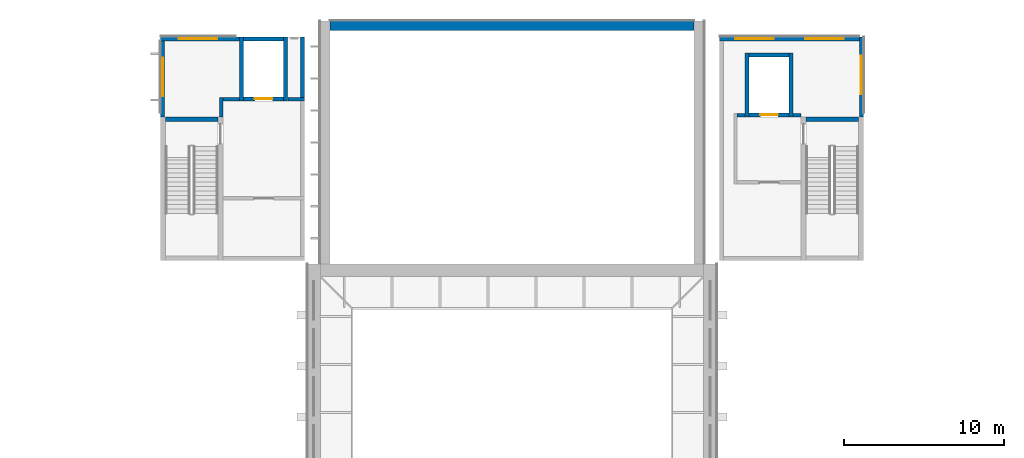
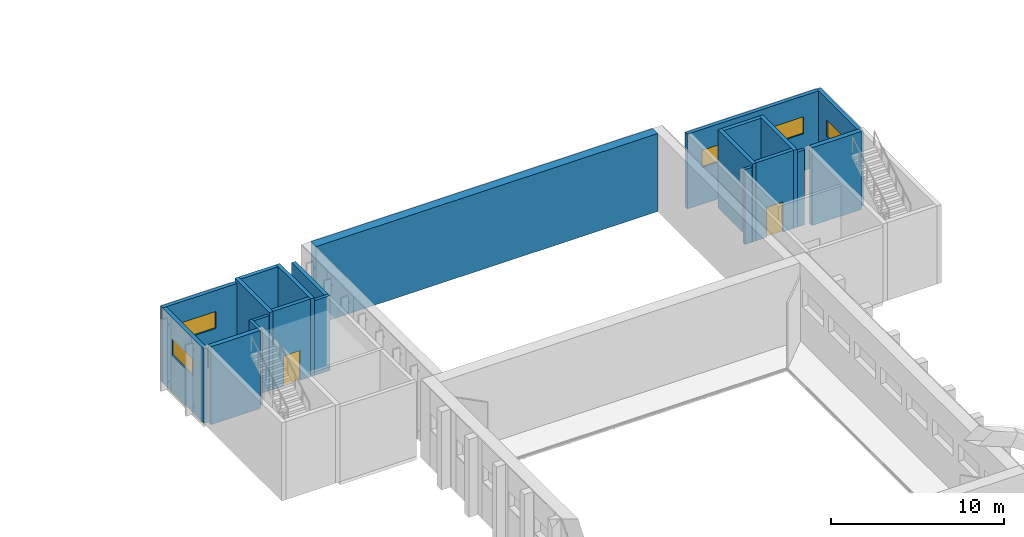
# One storey, part 68 of 94: 21 walls, 5 windows, 2 doors, 7 openings.
"""IFC4 building model written with IfcOpenShell, lengths in metres."""

import ifcopenshell
import ifcopenshell.guid

model = None  # the IFC model being written
_history = None  # IfcOwnerHistory: only IFC2X3 demands one
_inside = {}  # id of a spatial element -> (the spatial element, [elements in it])
_under = {}  # id of a project, library or spatial element -> (it, [spatial elements below it])
_declared = {}  # id of a project -> (the project, [libraries it declares])
_typed = {}  # id of a type object -> (the type object, [elements of that type])
_made_of = {}  # id of a material, layer set ... -> (it, [elements and type objects made of it])


def new_model(schema):
    """Start an empty IFC model of exactly this schema.

    Asked for "IFC4X3", IfcOpenShell would pick the latest addendum, in which some entities
    have other attributes; the version numbers below select the first issue.
    IFC2X3 requires an IfcOwnerHistory on every rooted entity: one is made here for all.
    """
    global model, _history
    if schema == "IFC4X3":
        model = ifcopenshell.file(schema_version=(4, 3, 0, 0))
    else:
        model = ifcopenshell.file(schema=schema)
    _inside.clear()
    _under.clear()
    _declared.clear()
    _typed.clear()
    _made_of.clear()
    _history = None
    if model.schema == "IFC2X3":
        org = make("IfcOrganization", Name="unknown")
        user = make(
            "IfcPersonAndOrganization",
            ThePerson=make("IfcPerson", FamilyName="unknown"),
            TheOrganization=org,
        )
        app = make(
            "IfcApplication",
            ApplicationDeveloper=org,
            Version="unknown",
            ApplicationFullName="unknown",
            ApplicationIdentifier="unknown",
        )
        _history = make(
            "IfcOwnerHistory",
            OwningUser=user,
            OwningApplication=app,
            ChangeAction="ADDED",
            CreationDate=0,
        )
    return model


def make(cls, **values):
    """One entity of the class cls with the attributes given. An attribute that is None is left unset."""
    return model.create_entity(
        cls, **{name: value for name, value in values.items() if value is not None}
    )


def rooted(cls, **values):
    """An entity with a GlobalId (a new one), such as an element, a storey or a relation."""
    return make(cls, GlobalId=ifcopenshell.guid.new(), OwnerHistory=_history, **values)


def si_unit(unit_type, name, prefix=None):
    """IfcSIUnit, for example si_unit("LENGTHUNIT", "METRE", prefix="MILLI")."""
    return make("IfcSIUnit", UnitType=unit_type, Prefix=prefix, Name=name)


def assignment(units):
    """IfcUnitAssignment: the units of a project."""
    return None if units is None else make("IfcUnitAssignment", Units=units)


def point(xyz):
    """IfcCartesianPoint."""
    return None if xyz is None else make("IfcCartesianPoint", Coordinates=xyz)


def direction(xyz):
    """IfcDirection."""
    return None if xyz is None else make("IfcDirection", DirectionRatios=xyz)


def frame(location, z_axis=None, x_axis=None):
    """IfcAxis2Placement3D, a coordinate frame: its origin and axes. An axis left out is left unset."""
    return make(
        "IfcAxis2Placement3D",
        Location=point(location),
        Axis=direction(z_axis),
        RefDirection=direction(x_axis),
    )


def frame_2d(location, x_axis=None):
    """IfcAxis2Placement2D, a coordinate frame in the plane: its origin and x axis."""
    return make(
        "IfcAxis2Placement2D", Location=point(location), RefDirection=direction(x_axis)
    )


def origin():
    """The frame at (0, 0, 0) with its axes left unset."""
    return frame((0.0, 0.0, 0.0))


def place(relative_to, where):
    """IfcLocalPlacement: puts the frame where relative to a parent placement (None: the world)."""
    return make(
        "IfcLocalPlacement", PlacementRelTo=relative_to, RelativePlacement=where
    )


def context(
    kind, dimensions, precision=None, world=None, true_north=None, identifier=None
):
    """IfcGeometricRepresentationContext, for example the 3D "Model" context."""
    return make(
        "IfcGeometricRepresentationContext",
        ContextIdentifier=identifier,
        ContextType=kind,
        CoordinateSpaceDimension=dimensions,
        Precision=precision,
        WorldCoordinateSystem=world,
        TrueNorth=true_north,
    )


def subcontext(parent, identifier, kind, view, scale=None):
    """IfcGeometricRepresentationSubContext, for example "Body" below "Model"."""
    return make(
        "IfcGeometricRepresentationSubContext",
        ContextIdentifier=identifier,
        ContextType=kind,
        ParentContext=parent,
        TargetScale=scale,
        TargetView=view,
    )


def project(units=None, contexts=None):
    """IfcProject with its units and contexts."""
    return rooted(
        "IfcProject",
        Name="project",
        RepresentationContexts=contexts,
        UnitsInContext=assignment(units),
    )


def spatial(cls, under=None, at=None, **own):
    """A site, building, storey or space (cls), placed at a placement, below another one or the project."""
    s = rooted(cls, ObjectPlacement=at, **own)
    if under is not None:
        _under.setdefault(under.id(), (under, []))[1].append(s)
    return s


def profile(cls, at=None, kind="AREA", **sizes):
    """A parametric profile (cls). Its sizes go by their IFC names, for example OverallWidth=200.0."""
    return make(cls, ProfileType=kind, Position=at, **sizes)


def rectangle(**sizes):
    """IfcRectangleProfileDef."""
    return profile("IfcRectangleProfileDef", **sizes)


def extrude(swept, where, along, depth):
    """IfcExtrudedAreaSolid: the profile swept, set in the frame where, extruded along a direction by depth."""
    return make(
        "IfcExtrudedAreaSolid",
        SweptArea=swept,
        Position=where,
        ExtrudedDirection=direction(along),
        Depth=depth,
    )


def shape(context_of_items, identifier, shape_type, items):
    """IfcShapeRepresentation: the items that make up one representation, for example the "Body"."""
    return make(
        "IfcShapeRepresentation",
        ContextOfItems=context_of_items,
        RepresentationIdentifier=identifier,
        RepresentationType=shape_type,
        Items=items,
    )


def material(Name=None, Category=None):
    """IfcMaterial."""
    return make("IfcMaterial", Name=Name, Category=Category)


def layer(
    of_material, thickness, ventilated=None, Name=None, Category=None, Priority=None
):
    """IfcMaterialLayer: one layer of a wall or slab, of a material (None: an air gap)."""
    return make(
        "IfcMaterialLayer",
        Material=of_material,
        LayerThickness=thickness,
        IsVentilated=ventilated,
        Name=Name,
        Category=Category,
        Priority=Priority,
    )


def layer_set(layers, Name=None):
    """IfcMaterialLayerSet."""
    return make("IfcMaterialLayerSet", MaterialLayers=layers, LayerSetName=Name)


def made_of(thing, what):
    """Note that an element or type object is made of a material, layer set ...; save() writes the relation."""
    if what is not None:
        _made_of.setdefault(what.id(), (what, []))[1].append(thing)
    return thing


def type_object(cls, material=None, **own):
    """A type object (cls), such as IfcWallType, which elements share."""
    return made_of(rooted(cls, **own), material)


def element(
    cls,
    number,
    at=None,
    inside=None,
    cuts=None,
    type_object=None,
    material=None,
    context=None,
    identifier="Body",
    shape_type=None,
    held_by="IfcProductDefinitionShape",
    body=None,
    shapes=None,
    **own,
):
    """One element of the class cls, such as IfcWall. Its Tag is "e" and its number.

    at: its placement. inside: the storey or other place that contains it. cuts: it is an
    opening in that element (IfcRelVoidsElement). A single representation is given by context,
    identifier, shape_type and body (its items); several are given by shapes. held_by: the class
    of the entity that holds the representations. save() writes the other relations.
    """
    e = rooted(cls, Tag="e%d" % number, ObjectPlacement=at, **own)
    if body is not None:
        shapes = [shape(context, identifier, shape_type, body)]
    if shapes is not None:
        e.Representation = make(held_by, Representations=shapes)
    if inside is not None:
        _inside.setdefault(inside.id(), (inside, []))[1].append(e)
    if cuts is not None:
        rooted(
            "IfcRelVoidsElement", RelatingBuildingElement=cuts, RelatedOpeningElement=e
        )
    if type_object is not None:
        _typed.setdefault(type_object.id(), (type_object, []))[1].append(e)
    return made_of(e, material)


def fill(opening, filler):
    """IfcRelFillsElement: the door or window that sits in an opening."""
    return rooted(
        "IfcRelFillsElement",
        RelatingOpeningElement=opening,
        RelatedBuildingElement=filler,
    )


def aggregate(whole, parts):
    """IfcRelAggregates: a whole, such as a stair, and the parts it consists of."""
    return rooted("IfcRelAggregates", RelatingObject=whole, RelatedObjects=parts)


def save(model, path):
    """Write the relations noted so far, then the file.

    IfcRelAggregates (storeys below a building ...), IfcRelContainedInSpatialStructure (elements
    in a storey), IfcRelDefinesByType, IfcRelAssociatesMaterial and IfcRelDeclares: one each for
    every whole, place, type object, material and project.
    """
    for whole, parts in _under.values():
        aggregate(whole, parts)
    for where, things in _inside.values():
        rooted(
            "IfcRelContainedInSpatialStructure",
            RelatedElements=things,
            RelatingStructure=where,
        )
    for kind, things in _typed.values():
        rooted("IfcRelDefinesByType", RelatedObjects=things, RelatingType=kind)
    for what, things in _made_of.values():
        rooted("IfcRelAssociatesMaterial", RelatedObjects=things, RelatingMaterial=what)
    for by, libraries in _declared.values():
        rooted("IfcRelDeclares", RelatingContext=by, RelatedDefinitions=libraries)
    model.write(path)


model = new_model("IFC4")

# Units and contexts
model_context = context("Model", 3, precision=1e-05, world=origin(), true_north=direction((0.0, 1.0)))
body_context = subcontext(model_context, "Body", "Model", "MODEL_VIEW")
ifc_project = project(units=[si_unit("LENGTHUNIT", "METRE"), si_unit("AREAUNIT", "SQUARE_METRE"), si_unit("VOLUMEUNIT", "CUBIC_METRE"), si_unit("PLANEANGLEUNIT", "RADIAN"), si_unit("MASSUNIT", "GRAM", prefix="KILO")], contexts=[model_context])

# Site, building, storey
site_placement = place(None, origin())
site = spatial("IfcSite", under=ifc_project, at=site_placement, CompositionType="ELEMENT")
building_placement = place(site_placement, origin())
building = spatial("IfcBuilding", under=site, at=building_placement, Name="Lunette Opera House", CompositionType="ELEMENT")
storey_placement = place(building_placement, frame((0.0, 0.0, 22.5)))
storey = spatial("IfcBuildingStorey", under=building, at=storey_placement, Name="L04", CompositionType="ELEMENT", Elevation=22.5)

# Walls
ifc_material_1 = material(Name="Concrete C35/45", Category="concrete")
ifc_layer_1 = layer(ifc_material_1, 0.199951171875)
ifc_layer_set_1 = layer_set([ifc_layer_1], Name="Concrete C35/45")
wall_type_1 = type_object("IfcWallType", Name="LOBBY WALL 200", PredefinedType="PARTITIONING", material=ifc_layer_set_1)
wall_1_placement = place(storey_placement, frame((114.080078125, 130.10009765625, 0.0), z_axis=(0.0, 0.0, 1.0), x_axis=(-1.0, 0.0, 0.0)))
element("IfcWall", 1, at=wall_1_placement, inside=storey, type_object=wall_type_1, Name="FL3 lobby wall 2a", PredefinedType="PARTITIONING", context=body_context, shape_type="SweptSolid", body=[
    extrude(rectangle(XDim=0.489990234375, YDim=0.199951171875, at=frame_2d((0.2451171875, 0.0))), origin(), (0.0, 0.0, 1.0), 5.280029296875),
])
wall_2_placement = place(storey_placement, frame((110.580078125, 130.10009765625, 0.0), z_axis=(0.0, 0.0, 1.0), x_axis=(-1.0, 0.0, 0.0)))
element("IfcWall", 2, at=wall_2_placement, inside=storey, type_object=wall_type_1, Name="FL3 lobby wall 2b", PredefinedType="PARTITIONING", context=body_context, shape_type="SweptSolid", body=[
    extrude(rectangle(XDim=0.47998046875, YDim=0.199951171875, at=frame_2d((0.239990234375, 0.0))), origin(), (0.0, 0.0, 1.0), 5.280029296875),
])
for number, where, z_axis, x_axis, name in (
    (3, (83.0, 131.10009765625, 0.0), (0.0, 0.0, 1.0), (-1.0, 0.0, 0.0), "LL-SW lobby wall 2a"),
    (4, (78.929931640625, 131.10009765625, 0.0), (0.0, 0.0, 1.0), (-1.0, 0.0, 0.0), "LL-SW lobby wall 2b"),
):
    element("IfcWall", number, at=place(storey_placement, frame(where, z_axis=z_axis, x_axis=x_axis)), inside=storey, type_object=wall_type_1, Name=name, PredefinedType="PARTITIONING", context=body_context, shape_type="SweptSolid", body=[
        extrude(rectangle(XDim=1.030029296875, YDim=0.199951171875, at=frame_2d((0.51513671875, 0.0))), origin(), (0.0, 0.0, 1.0), 5.280029296875),
    ])
wall_3_placement = place(storey_placement, frame((77.800048828125, 131.199951171875, 0.0), z_axis=(0.0, 0.0, 1.0), x_axis=(0.0, -1.0, 0.0)))
element("IfcWall", 5, at=wall_3_placement, inside=storey, type_object=wall_type_1, Name="LL-SW lobby wall 3a", PredefinedType="PARTITIONING", context=body_context, shape_type="SweptSolid", body=[
    extrude(rectangle(XDim=1.2099609375, YDim=0.199951171875, at=frame_2d((0.60498046875, 0.0))), origin(), (0.0, 0.0, 1.0), 5.280029296875),
])
ifc_material_2 = material(Name="Concrete C35/45", Category="concrete")
ifc_layer_2 = layer(ifc_material_2, 0.25)
ifc_layer_set_2 = layer_set([ifc_layer_2], Name="Concrete C35/45")
wall_type_2 = type_object("IfcWallType", Name="RC LIFT SHAFT WALL 250", PredefinedType="SOLIDWALL", material=ifc_layer_set_2)
wall_4_placement = place(storey_placement, frame((113.47509765625, 130.0, 0.0), z_axis=(0.0, 0.0, 1.0), x_axis=(0.0, 1.0, 0.0)))
element("IfcWall", 6, at=wall_4_placement, inside=storey, type_object=wall_type_2, Name="FL3 shaft wall 1", PredefinedType="SOLIDWALL", context=body_context, shape_type="SweptSolid", body=[
    extrude(rectangle(XDim=4.0, YDim=0.25, at=frame_2d((2.0, 0.0))), origin(), (0.0, 0.0, 1.0), 5.5),
])
wall_5_placement = place(storey_placement, frame((113.35009765625, 133.875, 0.0), z_axis=(0.0, 0.0, 1.0), x_axis=(-1.0, 0.0, 0.0)))
element("IfcWall", 7, at=wall_5_placement, inside=storey, type_object=wall_type_2, Name="FL3 shaft wall 2", PredefinedType="SOLIDWALL", context=body_context, shape_type="SweptSolid", body=[
    extrude(rectangle(XDim=2.5, YDim=0.25, at=frame_2d((1.25, 0.0))), origin(), (0.0, 0.0, 1.0), 5.5),
])
wall_6_placement = place(storey_placement, frame((110.72509765625, 134.0, 0.0), z_axis=(0.0, 0.0, 1.0), x_axis=(0.0, -1.0, 0.0)))
element("IfcWall", 8, at=wall_6_placement, inside=storey, type_object=wall_type_2, Name="FL3 shaft wall 3", PredefinedType="SOLIDWALL", context=body_context, shape_type="SweptSolid", body=[
    extrude(rectangle(XDim=4.0, YDim=0.25, at=frame_2d((2.0, 0.0))), origin(), (0.0, 0.0, 1.0), 5.5),
])

# Wall, opening, door
wall_7_placement = place(storey_placement, frame((110.85009765625, 130.125, 0.0), z_axis=(0.0, 0.0, 1.0), x_axis=(1.0, 0.0, 0.0)))
wall_7 = element("IfcWall", 9, at=wall_7_placement, inside=storey, type_object=wall_type_2, Name="FL3 shaft wall 4", PredefinedType="SOLIDWALL", context=body_context, shape_type="SweptSolid", body=[
    extrude(rectangle(XDim=2.5, YDim=0.25, at=frame_2d((1.25, 0.0))), origin(), (0.0, 0.0, 1.0), 5.5),
])
opening_1_placement = place(wall_7_placement, frame((0.699951171875, 0.0, 0.0)))
opening_1 = element("IfcOpeningElement", 10, at=opening_1_placement, cuts=wall_7, Name="Opening ST-LD007", PredefinedType="OPENING", context=body_context, shape_type="SweptSolid", body=[
    extrude(rectangle(XDim=1.10009765625, YDim=2.10009765625, at=frame_2d((0.550048828125, 1.050048828125))), frame((0.0, 0.136962890625, 0.0), z_axis=(0.0, -1.0, 0.0), x_axis=(1.0, 0.0, 0.0)), (0.0, 0.0, 1.0), 0.27392578125),
])
ifc_material_3 = material(Name="Stainless steel", Category="steel")
door_type = type_object("IfcDoorType", Name="LIFT LANDING DOOR 1100 X 2100", OperationType="DOUBLE_DOOR_SLIDING", PredefinedType="DOOR", material=ifc_material_3)
door_1_placement = place(opening_1_placement, origin())
door_1 = element("IfcDoor", 11, at=door_1_placement, inside=storey, type_object=door_type, Name="FL3 lift landing door", OperationType="DOUBLE_DOOR_SLIDING", OverallHeight=2.10009765625, OverallWidth=1.10009765625, PredefinedType="DOOR", context=body_context, shape_type="SweptSolid", body=[
    extrude(rectangle(XDim=1.10009765625, YDim=2.10009765625, at=frame_2d((0.550048828125, 1.050048828125))), frame((0.0, 0.02490234375, 0.0), z_axis=(0.0, -1.0, 0.0), x_axis=(1.0, 0.0, 0.0)), (0.0, 0.0, 1.0), 0.050048828125),
])
fill(opening_1, door_1)

# Walls
wall_8_placement = place(storey_placement, frame((81.824951171875, 131.0, 0.0), z_axis=(0.0, 0.0, 1.0), x_axis=(0.0, 1.0, 0.0)))
element("IfcWall", 12, at=wall_8_placement, inside=storey, type_object=wall_type_2, Name="LF7 shaft wall 1", PredefinedType="SOLIDWALL", context=body_context, shape_type="SweptSolid", body=[
    extrude(rectangle(XDim=4.0, YDim=0.25, at=frame_2d((2.0, 0.0))), origin(), (0.0, 0.0, 1.0), 5.5),
])
wall_9_placement = place(storey_placement, frame((81.699951171875, 134.875, 0.0), z_axis=(0.0, 0.0, 1.0), x_axis=(-1.0, 0.0, 0.0)))
element("IfcWall", 13, at=wall_9_placement, inside=storey, type_object=wall_type_2, Name="LF7 shaft wall 2", PredefinedType="SOLIDWALL", context=body_context, shape_type="SweptSolid", body=[
    extrude(rectangle(XDim=2.5, YDim=0.25, at=frame_2d((1.25, 0.0))), origin(), (0.0, 0.0, 1.0), 5.5),
])
wall_10_placement = place(storey_placement, frame((79.074951171875, 135.0, 0.0), z_axis=(0.0, 0.0, 1.0), x_axis=(0.0, -1.0, 0.0)))
element("IfcWall", 14, at=wall_10_placement, inside=storey, type_object=wall_type_2, Name="LF7 shaft wall 3", PredefinedType="SOLIDWALL", context=body_context, shape_type="SweptSolid", body=[
    extrude(rectangle(XDim=4.0, YDim=0.25, at=frame_2d((2.0, 0.0))), origin(), (0.0, 0.0, 1.0), 5.5),
])

# Wall, opening, door
wall_11_placement = place(storey_placement, frame((79.199951171875, 131.125, 0.0), z_axis=(0.0, 0.0, 1.0), x_axis=(1.0, 0.0, 0.0)))
wall_11 = element("IfcWall", 15, at=wall_11_placement, inside=storey, type_object=wall_type_2, Name="LF7 shaft wall 4", PredefinedType="SOLIDWALL", context=body_context, shape_type="SweptSolid", body=[
    extrude(rectangle(XDim=2.5, YDim=0.25, at=frame_2d((1.25, 0.0))), origin(), (0.0, 0.0, 1.0), 5.5),
])
opening_2_placement = place(wall_11_placement, frame((0.699951171875, 0.0, 0.0)))
opening_2 = element("IfcOpeningElement", 16, at=opening_2_placement, cuts=wall_11, Name="Opening ST-LD016", PredefinedType="OPENING", context=body_context, shape_type="SweptSolid", body=[
    extrude(rectangle(XDim=1.10009765625, YDim=2.10009765625, at=frame_2d((0.550048828125, 1.050048828125))), frame((0.0, 0.136962890625, 0.0), z_axis=(0.0, -1.0, 0.0), x_axis=(1.0, 0.0, 0.0)), (0.0, 0.0, 1.0), 0.27392578125),
])
door_2_placement = place(opening_2_placement, origin())
door_2 = element("IfcDoor", 17, at=door_2_placement, inside=storey, type_object=door_type, Name="LF7 lift landing door", OperationType="DOUBLE_DOOR_SLIDING", OverallHeight=2.10009765625, OverallWidth=1.10009765625, PredefinedType="DOOR", context=body_context, shape_type="SweptSolid", body=[
    extrude(rectangle(XDim=1.10009765625, YDim=2.10009765625, at=frame_2d((0.550048828125, 1.050048828125))), frame((0.0, 0.02490234375, 0.0), z_axis=(0.0, -1.0, 0.0), x_axis=(1.0, 0.0, 0.0)), (0.0, 0.0, 1.0), 0.050048828125),
])
fill(opening_2, door_2)

# Walls
ifc_material_4 = material(Name="Concrete C35/45", Category="concrete")
ifc_layer_3 = layer(ifc_material_4, 0.300048828125)
ifc_layer_set_3 = layer_set([ifc_layer_3], Name="Concrete C35/45")
wall_type_3 = type_object("IfcWallType", Name="RC STAIR ENCLOSURE WALL 300", PredefinedType="SOLIDWALL", material=ifc_layer_set_3)
for number, where, z_axis, x_axis, name in (
    (18, (77.60009765625, 129.85009765625, 0.0), (0.0, 0.0, 1.0), (-1.0, 0.0, 0.0), "ST11 enclosure wall 2"),
    (19, (117.699951171875, 129.85009765625, 0.0), (0.0, 0.0, 1.0), (-1.0, 0.0, 0.0), "ST12 enclosure wall 2"),
):
    element("IfcWall", number, at=place(storey_placement, frame(where, z_axis=z_axis, x_axis=x_axis)), inside=storey, type_object=wall_type_3, Name=name, PredefinedType="SOLIDWALL", context=body_context, shape_type="SweptSolid", body=[
        extrude(rectangle(XDim=3.300048828125, YDim=0.300048828125, at=frame_2d((1.64990234375, 0.0))), origin(), (0.0, 0.0, 1.0), 5.5),
    ])
ifc_material_5 = material(Name="Concrete C35/45", Category="concrete")
ifc_layer_4 = layer(ifc_material_5, 0.60009765625)
ifc_layer_set_4 = layer_set([ifc_layer_4], Name="Concrete C35/45")
wall_type_4 = type_object("IfcWallType", Name="RC WALL 600", PredefinedType="SHEAR", material=ifc_layer_set_4)
wall_12_placement = place(storey_placement, frame((84.60009765625, 135.699951171875, 0.0), z_axis=(0.0, 0.0, 1.0), x_axis=(1.0, 0.0, 0.0)))
element("IfcWall", 20, at=wall_12_placement, inside=storey, type_object=wall_type_4, Name="wall-ST-L04-SR-N-1", PredefinedType="SHEAR", context=body_context, shape_type="SweptSolid", body=[
    extrude(rectangle(XDim=22.7998046875, YDim=0.60009765625, at=frame_2d((11.39990234375, 0.0))), origin(), (0.0, 0.0, 1.0), 5.5),
])

# Wall, opening, window
ifc_material_6 = material(Name="Insulated aluminium sandwich panel", Category="aluminium")
ifc_layer_5 = layer(ifc_material_6, 0.25)
ifc_layer_set_5 = layer_set([ifc_layer_5], Name="Insulated aluminium sandwich panel")
wall_type_5 = type_object("IfcWallType", Name="STAGE TOWER WALL 250", PredefinedType="SOLIDWALL", material=ifc_layer_set_5)
wall_13_placement = place(storey_placement, frame((78.947998046875, 134.875, 0.0), z_axis=(0.0, 0.0, 1.0), x_axis=(-1.0, 0.0, 0.0)))
wall_13 = element("IfcWall", 21, at=wall_13_placement, inside=storey, type_object=wall_type_5, Name="Stage Tower Wall 250 TW-031 L04", PredefinedType="SOLIDWALL", context=body_context, shape_type="SweptSolid", body=[
    extrude(rectangle(XDim=4.947998046875, YDim=0.25, at=frame_2d((2.47412109375, 0.0))), origin(), (0.0, 0.0, 1.0), 5.280029296875),
])
opening_3_placement = place(wall_13_placement, frame((1.39599609375, 0.0, 2.60009765625)))
opening_3 = element("IfcOpeningElement", 22, at=opening_3_placement, cuts=wall_13, Name="Opening ST-N2142", PredefinedType="OPENING", context=body_context, shape_type="SweptSolid", body=[
    extrude(rectangle(XDim=2.39990234375, YDim=1.199951171875, at=frame_2d((1.199951171875, 0.60009765625))), frame((0.0, 0.136962890625, 0.0), z_axis=(0.0, -1.0, 0.0), x_axis=(1.0, 0.0, 0.0)), (0.0, 0.0, 1.0), 0.27392578125),
])
ifc_material_7 = material(Name="Aluminium", Category="aluminium")
window_type = type_object("IfcWindowType", Name="TOWER RIBBON WINDOW 2400 X 1200", PartitioningType="SINGLE_PANEL", PredefinedType="WINDOW", material=ifc_material_7)
window_1_placement = place(opening_3_placement, origin())
window_1 = element("IfcWindow", 23, at=window_1_placement, inside=storey, type_object=window_type, Name="Tower Ribbon Window 2400 X 1200 TTW31-1 L04", OverallHeight=1.199951171875, OverallWidth=2.39990234375, PartitioningType="SINGLE_PANEL", PredefinedType="WINDOW", context=body_context, shape_type="SweptSolid", body=[
    extrude(rectangle(XDim=2.39990234375, YDim=1.199951171875, at=frame_2d((1.199951171875, 0.60009765625))), frame((0.0, 0.030029296875, 0.0), z_axis=(0.0, -1.0, 0.0), x_axis=(1.0, 0.0, 0.0)), (0.0, 0.0, 1.0), 0.06005859375),
])
fill(opening_3, window_1)

wall_14_placement = place(storey_placement, frame((74.125, 134.75, 0.0), z_axis=(0.0, 0.0, 1.0), x_axis=(0.0, -1.0, 0.0)))
wall_14 = element("IfcWall", 24, at=wall_14_placement, inside=storey, type_object=wall_type_5, Name="Stage Tower Wall 250 TW-032 L04", PredefinedType="SOLIDWALL", context=body_context, shape_type="SweptSolid", body=[
    extrude(rectangle(XDim=4.7548828125, YDim=0.25, at=frame_2d((2.37744140625, 0.0))), origin(), (0.0, 0.0, 1.0), 5.280029296875),
])
opening_4_placement = place(wall_14_placement, frame((1.050048828125, 0.0, 2.60009765625)))
opening_4 = element("IfcOpeningElement", 25, at=opening_4_placement, cuts=wall_14, Name="Opening ST-N2143", PredefinedType="OPENING", context=body_context, shape_type="SweptSolid", body=[
    extrude(rectangle(XDim=2.39990234375, YDim=1.199951171875, at=frame_2d((1.199951171875, 0.60009765625))), frame((0.0, 0.136962890625, 0.0), z_axis=(0.0, -1.0, 0.0), x_axis=(1.0, 0.0, 0.0)), (0.0, 0.0, 1.0), 0.27392578125),
])
window_2_placement = place(opening_4_placement, origin())
window_2 = element("IfcWindow", 26, at=window_2_placement, inside=storey, type_object=window_type, Name="Tower Ribbon Window 2400 X 1200 TTW32-1 L04", OverallHeight=1.199951171875, OverallWidth=2.39990234375, PartitioningType="SINGLE_PANEL", PredefinedType="WINDOW", context=body_context, shape_type="SweptSolid", body=[
    extrude(rectangle(XDim=2.39990234375, YDim=1.199951171875, at=frame_2d((1.199951171875, 0.60009765625))), frame((0.0, 0.030029296875, 0.0), z_axis=(0.0, -1.0, 0.0), x_axis=(1.0, 0.0, 0.0)), (0.0, 0.0, 1.0), 0.06005859375),
])
fill(opening_4, window_2)

# Wall
wall_15_placement = place(storey_placement, frame((82.875, 131.195068359375, 0.0), z_axis=(0.0, 0.0, 1.0), x_axis=(0.0, 1.0, 0.0)))
element("IfcWall", 27, at=wall_15_placement, inside=storey, type_object=wall_type_5, Name="Stage Tower Wall 250 TW-036 L04", PredefinedType="SOLIDWALL", context=body_context, shape_type="SweptSolid", body=[
    extrude(rectangle(XDim=3.804931640625, YDim=0.25, at=frame_2d((1.90234375, 0.0))), origin(), (0.0, 0.0, 1.0), 5.280029296875),
])

# Wall, opening, window
wall_16_placement = place(storey_placement, frame((117.875, 129.9951171875, 0.0), z_axis=(0.0, 0.0, 1.0), x_axis=(0.0, 1.0, 0.0)))
wall_16 = element("IfcWall", 28, at=wall_16_placement, inside=storey, type_object=wall_type_5, Name="Stage Tower Wall 250 TE-037 L04", PredefinedType="SOLIDWALL", context=body_context, shape_type="SweptSolid", body=[
    extrude(rectangle(XDim=5.0048828125, YDim=0.25, at=frame_2d((2.50244140625, 0.0))), origin(), (0.0, 0.0, 1.0), 5.280029296875),
])
opening_5_placement = place(wall_16_placement, frame((1.429931640625, 0.0, 2.60009765625)))
opening_5 = element("IfcOpeningElement", 29, at=opening_5_placement, cuts=wall_16, Name="Opening ST-N2144", PredefinedType="OPENING", context=body_context, shape_type="SweptSolid", body=[
    extrude(rectangle(XDim=2.39990234375, YDim=1.199951171875, at=frame_2d((1.199951171875, 0.60009765625))), frame((0.0, 0.136962890625, 0.0), z_axis=(0.0, -1.0, 0.0), x_axis=(1.0, 0.0, 0.0)), (0.0, 0.0, 1.0), 0.27392578125),
])
window_3_placement = place(opening_5_placement, origin())
window_3 = element("IfcWindow", 30, at=window_3_placement, inside=storey, type_object=window_type, Name="Tower Ribbon Window 2400 X 1200 TTW37-1 L04", OverallHeight=1.199951171875, OverallWidth=2.39990234375, PartitioningType="SINGLE_PANEL", PredefinedType="WINDOW", context=body_context, shape_type="SweptSolid", body=[
    extrude(rectangle(XDim=2.39990234375, YDim=1.199951171875, at=frame_2d((1.199951171875, 0.60009765625))), frame((0.0, 0.030029296875, 0.0), z_axis=(0.0, -1.0, 0.0), x_axis=(1.0, 0.0, 0.0)), (0.0, 0.0, 1.0), 0.06005859375),
])
fill(opening_5, window_3)

# Wall, openings, windows
wall_17_placement = place(storey_placement, frame((117.75, 134.875, 0.0), z_axis=(0.0, 0.0, 1.0), x_axis=(-1.0, 0.0, 0.0)))
wall_17 = element("IfcWall", 31, at=wall_17_placement, inside=storey, type_object=wall_type_5, Name="Stage Tower Wall 250 TE-038 L04", PredefinedType="SOLIDWALL", context=body_context, shape_type="SweptSolid", body=[
    extrude(rectangle(XDim=8.75, YDim=0.25, at=frame_2d((4.375, 0.0))), origin(), (0.0, 0.0, 1.0), 5.280029296875),
])
opening_6_placement = place(wall_17_placement, frame((0.988037109375, 0.0, 2.60009765625)))
opening_6 = element("IfcOpeningElement", 32, at=opening_6_placement, cuts=wall_17, Name="Opening ST-N2145", PredefinedType="OPENING", context=body_context, shape_type="SweptSolid", body=[
    extrude(rectangle(XDim=2.39990234375, YDim=1.199951171875, at=frame_2d((1.199951171875, 0.60009765625))), frame((0.0, 0.136962890625, 0.0), z_axis=(0.0, -1.0, 0.0), x_axis=(1.0, 0.0, 0.0)), (0.0, 0.0, 1.0), 0.27392578125),
])
opening_7_placement = place(wall_17_placement, frame((5.362060546875, 0.0, 2.60009765625)))
opening_7 = element("IfcOpeningElement", 33, at=opening_7_placement, cuts=wall_17, Name="Opening ST-N2146", PredefinedType="OPENING", context=body_context, shape_type="SweptSolid", body=[
    extrude(rectangle(XDim=2.39990234375, YDim=1.199951171875, at=frame_2d((1.199951171875, 0.60009765625))), frame((0.0, 0.136962890625, 0.0), z_axis=(0.0, -1.0, 0.0), x_axis=(1.0, 0.0, 0.0)), (0.0, 0.0, 1.0), 0.27392578125),
])
window_4_placement = place(opening_6_placement, origin())
window_4 = element("IfcWindow", 34, at=window_4_placement, inside=storey, type_object=window_type, Name="Tower Ribbon Window 2400 X 1200 TTW38-1 L04", OverallHeight=1.199951171875, OverallWidth=2.39990234375, PartitioningType="SINGLE_PANEL", PredefinedType="WINDOW", context=body_context, shape_type="SweptSolid", body=[
    extrude(rectangle(XDim=2.39990234375, YDim=1.199951171875, at=frame_2d((1.199951171875, 0.60009765625))), frame((0.0, 0.030029296875, 0.0), z_axis=(0.0, -1.0, 0.0), x_axis=(1.0, 0.0, 0.0)), (0.0, 0.0, 1.0), 0.06005859375),
])
fill(opening_6, window_4)
window_5_placement = place(opening_7_placement, origin())
window_5 = element("IfcWindow", 35, at=window_5_placement, inside=storey, type_object=window_type, Name="Tower Ribbon Window 2400 X 1200 TTW38-2 L04", OverallHeight=1.199951171875, OverallWidth=2.39990234375, PartitioningType="SINGLE_PANEL", PredefinedType="WINDOW", context=body_context, shape_type="SweptSolid", body=[
    extrude(rectangle(XDim=2.39990234375, YDim=1.199951171875, at=frame_2d((1.199951171875, 0.60009765625))), frame((0.0, 0.030029296875, 0.0), z_axis=(0.0, -1.0, 0.0), x_axis=(1.0, 0.0, 0.0)), (0.0, 0.0, 1.0), 0.06005859375),
])
fill(opening_7, window_5)

save(model, "model.ifc")
